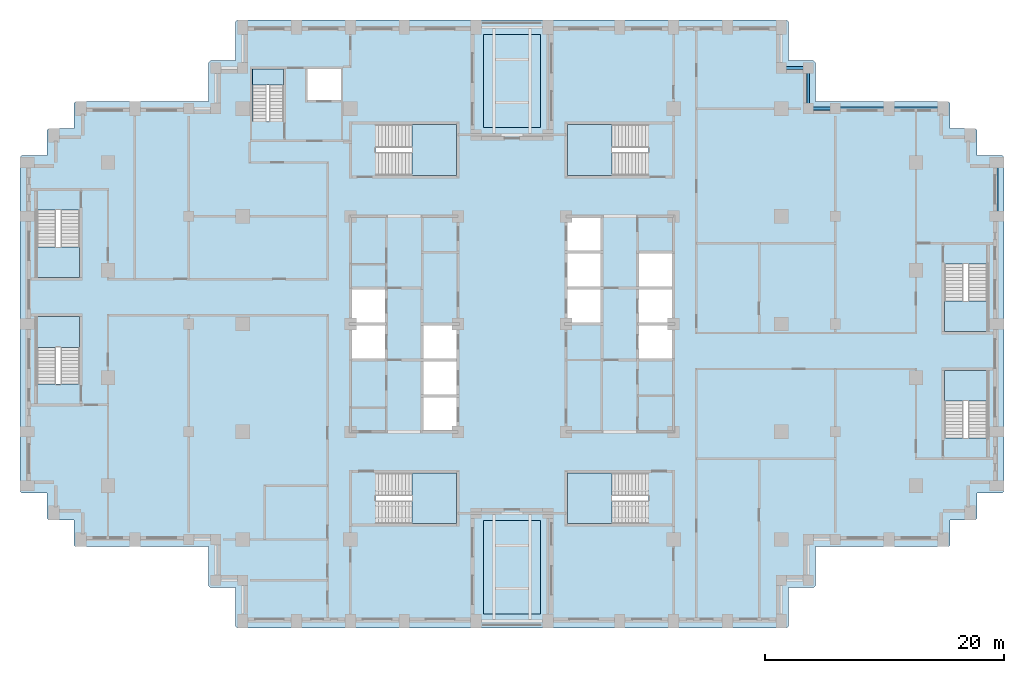
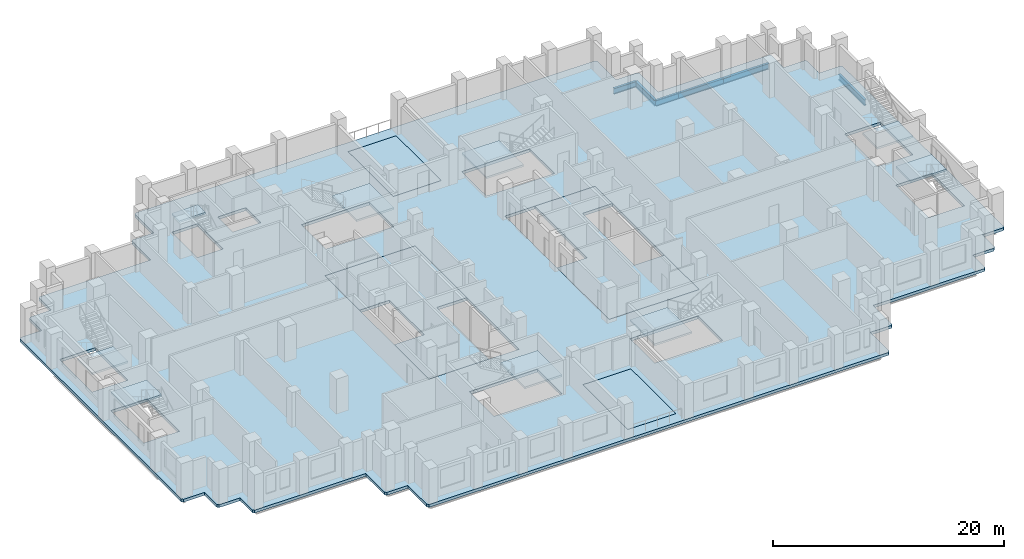
# One storey, part 2 of 13: 14 slabs, 6 beams, 9 elements without a shape of their own.
"""IFC4 building model written with IfcOpenShell, lengths in metres."""

from ifc_helpers import new_model, si_unit, direction, frame, origin, origin_2d, place, context, subcontext, project, spatial, polyline, i_section, outline, extrude, material, layer, layer_set, material_profile, profile_set, type_object, element, aggregate, save


model = new_model("IFC4")

# Units and contexts
model_context = context("Model", 3, precision=1e-05, world=origin(), true_north=direction((0.0, 1.0)))
body_context = subcontext(model_context, "Body", "Model", "MODEL_VIEW")
ifc_project = project(units=[si_unit("LENGTHUNIT", "METRE"), si_unit("AREAUNIT", "SQUARE_METRE"), si_unit("VOLUMEUNIT", "CUBIC_METRE"), si_unit("PLANEANGLEUNIT", "RADIAN"), si_unit("MASSUNIT", "GRAM", prefix="KILO")], contexts=[model_context])

# Site, building, storey
site_placement = place(None, origin())
site = spatial("IfcSite", under=ifc_project, at=site_placement, CompositionType="ELEMENT")
building_placement = place(site_placement, origin())
building = spatial("IfcBuilding", under=site, at=building_placement, Name="Corbelhall Arena Tower", CompositionType="ELEMENT")
storey_placement = place(building_placement, frame((0.0, 0.0, 68.0)))
storey = spatial("IfcBuildingStorey", under=building, at=storey_placement, Name="L09", CompositionType="ELEMENT", Elevation=68.0)

# Beams
ifc_material_1 = material(Name="Steel ASTM A992 Gr50", Category="steel")
ifc_material_profile = material_profile(ifc_material_1, i_section(OverallWidth=0.23046875, OverallDepth=0.6171875, WebThickness=0.01318359375, FlangeThickness=0.022216796875, at=origin_2d()))
ifc_profile_set = profile_set([ifc_material_profile], Name="Steel ASTM A992 Gr50")
beam_type = type_object("IfcBeamType", Name="ST-SPANDREL-W24x94", PredefinedType="SPANDREL", material=ifc_profile_set)
for number, where, z_axis, x_axis, name in (
    (1, (40.5, 13.5, -0.608642578125), (0.0, -1.0, 0.0), (1.0, 0.0, 0.0), "Beam SP 10"),
    (2, (31.5, 18.0, -0.608642578125), (1.0, 0.0, 0.0), (0.0, 1.0, 0.0), "Beam SP 12"),
    (3, (27.0, 18.0, -0.608642578125), (1.0, 0.0, 0.0), (0.0, 1.0, 0.0), "Beam SP 15"),
):
    element("IfcBeam", number, at=place(storey_placement, frame(where, z_axis=z_axis, x_axis=x_axis)), inside=storey, type_object=beam_type, Name=name, PredefinedType="SPANDREL", context=body_context, shape_type="SweptSolid", body=[
        extrude(i_section(OverallWidth=0.23046875, OverallDepth=0.6171875, WebThickness=0.01318359375, FlangeThickness=0.022216796875, at=origin_2d()), origin(), (0.0, 0.0, 1.0), 4.5),
    ])
beam_1_placement = place(storey_placement, frame((22.5, 21.39990234375, -0.608642578125), z_axis=(1.0, 0.0, 0.0), x_axis=(0.0, 1.0, 0.0)))
element("IfcBeam", 4, at=beam_1_placement, inside=storey, type_object=beam_type, Name="Beam SP 39", PredefinedType="SPANDREL", context=body_context, shape_type="SweptSolid", body=[
    extrude(i_section(OverallWidth=0.23046875, OverallDepth=0.6171875, WebThickness=0.01318359375, FlangeThickness=0.022216796875, at=origin_2d()), origin(), (0.0, 0.0, 1.0), 2.25),
])
beam_2_placement = place(storey_placement, frame((24.75, 21.39990234375, -0.608642578125), z_axis=(0.0, -1.0, 0.0), x_axis=(1.0, 0.0, 0.0)))
element("IfcBeam", 5, at=beam_2_placement, inside=storey, type_object=beam_type, Name="Beam SP 40", PredefinedType="SPANDREL", context=body_context, shape_type="SweptSolid", body=[
    extrude(i_section(OverallWidth=0.23046875, OverallDepth=0.6171875, WebThickness=0.01318359375, FlangeThickness=0.022216796875, at=origin_2d()), origin(), (0.0, 0.0, 1.0), 3.39990234375),
])
beam_3_placement = place(storey_placement, frame((24.75, 18.0, -0.608642578125), z_axis=(1.0, 0.0, 0.0), x_axis=(0.0, 1.0, 0.0)))
element("IfcBeam", 6, at=beam_3_placement, inside=storey, type_object=beam_type, Name="Beam SP 41", PredefinedType="SPANDREL", context=body_context, shape_type="SweptSolid", body=[
    extrude(i_section(OverallWidth=0.23046875, OverallDepth=0.6171875, WebThickness=0.01318359375, FlangeThickness=0.022216796875, at=origin_2d()), origin(), (0.0, 0.0, 1.0), 2.25),
])

# Slabs
ifc_material_2 = material(Name="Concrete C40/50", Category="concrete")
ifc_layer_1 = layer(ifc_material_2, 0.300048828125)
ifc_layer_set_1 = layer_set([ifc_layer_1], Name="IN-SL-CORE")
slab_type_1 = type_object("IfcSlabType", Name="IN-SL-CORE", PredefinedType="FLOOR", material=ifc_layer_set_1)
slab_1_placement = place(storey_placement, frame((0.0, 0.0, -0.300048828125)))
element("IfcSlab", 7, at=slab_1_placement, inside=storey, type_object=slab_type_1, Name="Core floor W", PredefinedType="FLOOR", context=body_context, shape_type="SweptSolid", body=[
    extrude(outline(polyline([(-7.5, 0.0), (-4.5, 0.0), (-4.5, 9.0), (-13.5, 9.0), (-13.5, 3.0), (-10.5, 3.0), (-10.5, 0.0), (-10.5, -3.0), (-13.5, -3.0), (-13.5, -9.0), (-7.5, -9.0), (-7.5, -6.0), (-7.5, -3.0), (-7.5, 0.0)])), origin(), (0.0, 0.0, 1.0), 0.300048828125),
])
slab_2_placement = place(storey_placement, frame((0.0, 0.0, -0.300048828125)))
element("IfcSlab", 8, at=slab_2_placement, inside=storey, type_object=slab_type_1, Name="Core floor E", PredefinedType="FLOOR", context=body_context, shape_type="SweptSolid", body=[
    extrude(outline(polyline([(7.5, 0.0), (4.5, 0.0), (4.5, -9.0), (13.5, -9.0), (13.5, -3.0), (10.5, -3.0), (10.5, 0.0), (10.5, 3.0), (10.5, 6.0), (13.5, 6.0), (13.5, 9.0), (7.5, 9.0), (7.5, 6.0), (7.5, 3.0), (7.5, 0.0)])), origin(), (0.0, 0.0, 1.0), 0.300048828125),
])

# Stair, slab
stair_type = type_object("IfcStairType", Name="IN-ST-TOWER", PredefinedType="HALF_TURN_STAIR", material=ifc_material_2)
stair_1_placement = place(storey_placement, origin())
stair_1 = element("IfcStair", 9, at=stair_1_placement, inside=storey, type_object=stair_type, Name="L09 Exit stair ST1", PredefinedType="HALF_TURN_STAIR")
ifc_layer_2 = layer(ifc_material_2, 0.199951171875)
ifc_layer_set_2 = layer_set([ifc_layer_2], Name="IN-SL-LANDING")
slab_type_2 = type_object("IfcSlabType", Name="IN-SL-LANDING", PredefinedType="LANDING", material=ifc_layer_set_2)
slab_3_placement = place(storey_placement, frame((0.0, 0.0, 1.800048828125)))
slab_3 = element("IfcSlab", 10, at=slab_3_placement, type_object=slab_type_2, Name="ST1 landing 1", PredefinedType="LANDING", context=body_context, shape_type="SweptSolid", body=[
    extrude(outline(polyline([(-8.344970703125, 12.425048828125), (-4.625, 12.425048828125), (-4.625, 16.675048828125), (-8.344970703125, 16.675048828125), (-8.344970703125, 12.425048828125)])), origin(), (0.0, 0.0, 1.0), 0.199951171875),
])
aggregate(stair_1, [slab_3])

stair_2_placement = place(storey_placement, origin())
stair_2 = element("IfcStair", 11, at=stair_2_placement, inside=storey, type_object=stair_type, Name="L09 Exit stair ST2", PredefinedType="HALF_TURN_STAIR")
slab_4_placement = place(storey_placement, frame((0.0, 0.0, 1.800048828125)))
slab_4 = element("IfcSlab", 12, at=slab_4_placement, type_object=slab_type_2, Name="ST2 landing 1", PredefinedType="LANDING", context=body_context, shape_type="SweptSolid", body=[
    extrude(outline(polyline([(-8.344970703125, -16.675048828125), (-4.625, -16.675048828125), (-4.625, -12.425048828125), (-8.344970703125, -12.425048828125), (-8.344970703125, -16.675048828125)])), origin(), (0.0, 0.0, 1.0), 0.199951171875),
])
aggregate(stair_2, [slab_4])

stair_3_placement = place(storey_placement, origin())
stair_3 = element("IfcStair", 13, at=stair_3_placement, inside=storey, type_object=stair_type, Name="L09 Exit stair ST3", PredefinedType="HALF_TURN_STAIR")
slab_5_placement = place(storey_placement, frame((0.0, 0.0, 1.800048828125)))
slab_5 = element("IfcSlab", 14, at=slab_5_placement, type_object=slab_type_2, Name="ST3 landing 1", PredefinedType="LANDING", context=body_context, shape_type="SweptSolid", body=[
    extrude(outline(polyline([(8.344970703125, 16.675048828125), (4.625, 16.675048828125), (4.625, 12.425048828125), (8.344970703125, 12.425048828125), (8.344970703125, 16.675048828125)])), origin(), (0.0, 0.0, 1.0), 0.199951171875),
])
aggregate(stair_3, [slab_5])

stair_4_placement = place(storey_placement, origin())
stair_4 = element("IfcStair", 15, at=stair_4_placement, inside=storey, type_object=stair_type, Name="L09 Exit stair ST4", PredefinedType="HALF_TURN_STAIR")
slab_6_placement = place(storey_placement, frame((0.0, 0.0, 1.800048828125)))
slab_6 = element("IfcSlab", 16, at=slab_6_placement, type_object=slab_type_2, Name="ST4 landing 1", PredefinedType="LANDING", context=body_context, shape_type="SweptSolid", body=[
    extrude(outline(polyline([(8.344970703125, -12.425048828125), (4.625, -12.425048828125), (4.625, -16.675048828125), (8.344970703125, -16.675048828125), (8.344970703125, -12.425048828125)])), origin(), (0.0, 0.0, 1.0), 0.199951171875),
])
aggregate(stair_4, [slab_6])

stair_5_placement = place(storey_placement, origin())
stair_5 = element("IfcStair", 17, at=stair_5_placement, inside=storey, type_object=stair_type, Name="L09 Exit stair SC1", PredefinedType="HALF_TURN_STAIR")
slab_7_placement = place(storey_placement, frame((0.0, 0.0, 1.800048828125)))
slab_7 = element("IfcSlab", 18, at=slab_7_placement, type_object=slab_type_2, Name="SC1 landing 1", PredefinedType="LANDING", context=body_context, shape_type="SweptSolid", body=[
    extrude(outline(polyline([(-39.699951171875, 6.445068359375), (-39.699951171875, 3.875), (-36.125, 3.875), (-36.125, 6.445068359375), (-39.699951171875, 6.445068359375)])), origin(), (0.0, 0.0, 1.0), 0.199951171875),
])
aggregate(stair_5, [slab_7])

stair_6_placement = place(storey_placement, origin())
stair_6 = element("IfcStair", 19, at=stair_6_placement, inside=storey, type_object=stair_type, Name="L09 Exit stair SC2", PredefinedType="HALF_TURN_STAIR")
slab_8_placement = place(storey_placement, frame((0.0, 0.0, 1.800048828125)))
slab_8 = element("IfcSlab", 20, at=slab_8_placement, type_object=slab_type_2, Name="SC2 landing 1", PredefinedType="LANDING", context=body_context, shape_type="SweptSolid", body=[
    extrude(outline(polyline([(-36.125, -1.945068359375), (-36.125, 0.625), (-39.699951171875, 0.625), (-39.699951171875, -1.945068359375), (-36.125, -1.945068359375)])), origin(), (0.0, 0.0, 1.0), 0.199951171875),
])
aggregate(stair_6, [slab_8])

stair_7_placement = place(storey_placement, origin())
stair_7 = element("IfcStair", 21, at=stair_7_placement, inside=storey, type_object=stair_type, Name="L09 Exit stair SD1", PredefinedType="HALF_TURN_STAIR")
slab_9_placement = place(storey_placement, frame((0.0, 0.0, 1.800048828125)))
slab_9 = element("IfcSlab", 22, at=slab_9_placement, type_object=slab_type_2, Name="SD1 landing 1", PredefinedType="LANDING", context=body_context, shape_type="SweptSolid", body=[
    extrude(outline(polyline([(39.699951171875, -6.445068359375), (39.699951171875, -3.875), (36.125, -3.875), (36.125, -6.445068359375), (39.699951171875, -6.445068359375)])), origin(), (0.0, 0.0, 1.0), 0.199951171875),
])
aggregate(stair_7, [slab_9])

stair_8_placement = place(storey_placement, origin())
stair_8 = element("IfcStair", 23, at=stair_8_placement, inside=storey, type_object=stair_type, Name="L09 Exit stair SD2", PredefinedType="HALF_TURN_STAIR")
slab_10_placement = place(storey_placement, frame((0.0, 0.0, 1.800048828125)))
slab_10 = element("IfcSlab", 24, at=slab_10_placement, type_object=slab_type_2, Name="SD2 landing 1", PredefinedType="LANDING", context=body_context, shape_type="SweptSolid", body=[
    extrude(outline(polyline([(36.125, 1.945068359375), (36.125, -0.625), (39.699951171875, -0.625), (39.699951171875, 1.945068359375), (36.125, 1.945068359375)])), origin(), (0.0, 0.0, 1.0), 0.199951171875),
])
aggregate(stair_8, [slab_10])

stair_9_placement = place(storey_placement, origin())
stair_9 = element("IfcStair", 25, at=stair_9_placement, inside=storey, type_object=stair_type, Name="L09 Exit stair ST5", PredefinedType="HALF_TURN_STAIR")
slab_11_placement = place(storey_placement, frame((0.0, 0.0, 1.800048828125)))
slab_11 = element("IfcSlab", 26, at=slab_11_placement, type_object=slab_type_2, Name="ST5 landing 1", PredefinedType="LANDING", context=body_context, shape_type="SweptSolid", body=[
    extrude(outline(polyline([(-19.094970703125, 19.97998046875), (-19.094970703125, 21.300048828125), (-21.695068359375, 21.300048828125), (-21.695068359375, 19.97998046875), (-19.094970703125, 19.97998046875)])), origin(), (0.0, 0.0, 1.0), 0.199951171875),
])
aggregate(stair_9, [slab_11])

# Slabs
ifc_layer_3 = layer(ifc_material_2, 0.300048828125)
ifc_layer_set_3 = layer_set([ifc_layer_3], Name="ST-SLAB-FLOOR-300")
slab_type_3 = type_object("IfcSlabType", Name="ST-SLAB-FLOOR-300", PredefinedType="FLOOR", material=ifc_layer_set_3)
slab_12_placement = place(storey_placement, frame((0.0, 0.0, -0.300048828125)))
element("IfcSlab", 27, at=slab_12_placement, inside=storey, type_object=slab_type_3, Name="Floor slab L09 1", PredefinedType="FLOOR", context=body_context, shape_type="SweptSolid", body=[
    extrude(outline(polyline([(41.10009765625, 13.949951171875), (40.949951171875, 14.10009765625), (38.85009765625, 14.10009765625), (38.85009765625, 16.199951171875), (38.699951171875, 16.35009765625), (36.60009765625, 16.35009765625), (36.60009765625, 18.449951171875), (36.449951171875, 18.60009765625), (25.35009765625, 18.60009765625), (25.35009765625, 21.85009765625), (25.199951171875, 22.0), (23.10009765625, 22.0), (23.10009765625, 25.25), (22.949951171875, 25.39990234375), (-22.949951171875, 25.39990234375), (-23.10009765625, 25.25), (-23.10009765625, 22.0), (-25.199951171875, 22.0), (-25.35009765625, 21.85009765625), (-25.35009765625, 18.60009765625), (-36.449951171875, 18.60009765625), (-36.60009765625, 18.449951171875), (-36.60009765625, 16.35009765625), (-38.699951171875, 16.35009765625), (-38.85009765625, 16.199951171875), (-38.85009765625, 14.10009765625), (-40.949951171875, 14.10009765625), (-41.10009765625, 13.949951171875), (-41.10009765625, -13.949951171875), (-40.949951171875, -14.10009765625), (-38.85009765625, -14.10009765625), (-38.85009765625, -16.199951171875), (-38.699951171875, -16.35009765625), (-36.60009765625, -16.35009765625), (-36.60009765625, -18.449951171875), (-36.449951171875, -18.60009765625), (-25.35009765625, -18.60009765625), (-25.35009765625, -21.85009765625), (-25.199951171875, -22.0), (-23.10009765625, -22.0), (-23.10009765625, -25.25), (-22.949951171875, -25.39990234375), (22.949951171875, -25.39990234375), (23.10009765625, -25.25), (23.10009765625, -22.0), (25.199951171875, -22.0), (25.35009765625, -21.85009765625), (25.35009765625, -18.60009765625), (36.449951171875, -18.60009765625), (36.60009765625, -18.449951171875), (36.60009765625, -16.35009765625), (38.699951171875, -16.35009765625), (38.85009765625, -16.199951171875), (38.85009765625, -14.10009765625), (40.949951171875, -14.10009765625), (41.10009765625, -13.949951171875), (41.10009765625, 13.949951171875)]), holes=[polyline([(2.39990234375, -16.39990234375), (-2.39990234375, -16.39990234375), (-2.39990234375, -24.199951171875), (2.39990234375, -24.199951171875), (2.39990234375, -16.39990234375)]), polyline([(-2.39990234375, 24.199951171875), (-2.39990234375, 16.39990234375), (2.39990234375, 16.39990234375), (2.39990234375, 24.199951171875), (-2.39990234375, 24.199951171875)]), polyline([(-13.5, 9.0), (-13.5, -9.0), (-4.5, -9.0), (-4.5, 9.0), (-13.5, 9.0)]), polyline([(4.5, 9.0), (4.5, -9.0), (13.5, -9.0), (13.5, 9.0), (4.5, 9.0)]), polyline([(-4.625, 16.675048828125), (-11.422119140625, 16.675048828125), (-11.422119140625, 12.425048828125), (-4.625, 12.425048828125), (-4.625, 16.675048828125)]), polyline([(-4.625, -16.675048828125), (-4.625, -12.425048828125), (-11.422119140625, -12.425048828125), (-11.422119140625, -16.675048828125), (-4.625, -16.675048828125)]), polyline([(11.422119140625, 16.675048828125), (4.625, 16.675048828125), (4.625, 12.425048828125), (11.422119140625, 12.425048828125), (11.422119140625, 16.675048828125)]), polyline([(11.422119140625, -16.675048828125), (11.422119140625, -12.425048828125), (4.625, -12.425048828125), (4.625, -16.675048828125), (11.422119140625, -16.675048828125)]), polyline([(-36.125, 3.875), (-36.125, 9.52197265625), (-39.699951171875, 9.52197265625), (-39.699951171875, 3.875), (-36.125, 3.875)]), polyline([(-36.125, 0.625), (-39.699951171875, 0.625), (-39.699951171875, -5.02197265625), (-36.125, -5.02197265625), (-36.125, 0.625)]), polyline([(39.699951171875, -9.52197265625), (39.699951171875, -3.875), (36.125, -3.875), (36.125, -9.52197265625), (39.699951171875, -9.52197265625)]), polyline([(39.699951171875, 5.02197265625), (36.125, 5.02197265625), (36.125, -0.625), (39.699951171875, -0.625), (39.699951171875, 5.02197265625)]), polyline([(-21.695068359375, 21.300048828125), (-21.695068359375, 16.903076171875), (-19.094970703125, 16.903076171875), (-19.094970703125, 21.300048828125), (-21.695068359375, 21.300048828125)]), polyline([(-14.300048828125, 21.300048828125), (-17.10009765625, 21.300048828125), (-17.10009765625, 18.699951171875), (-14.300048828125, 18.699951171875), (-14.300048828125, 21.300048828125)])]), origin(), (0.0, 0.0, 1.0), 0.300048828125),
])
slab_13_placement = place(storey_placement, frame((0.0, 0.0, -0.300048828125)))
element("IfcSlab", 28, at=slab_13_placement, inside=storey, type_object=slab_type_3, Name="Terrace slab T-Z1-SLOT-N", PredefinedType="FLOOR", context=body_context, shape_type="SweptSolid", body=[
    extrude(outline(polyline([(2.39990234375, 16.39990234375), (2.39990234375, 24.199951171875), (-2.39990234375, 24.199951171875), (-2.39990234375, 16.39990234375), (2.39990234375, 16.39990234375)])), origin(), (0.0, 0.0, 1.0), 0.300048828125),
])
slab_14_placement = place(storey_placement, frame((0.0, 0.0, -0.300048828125)))
element("IfcSlab", 29, at=slab_14_placement, inside=storey, type_object=slab_type_3, Name="Terrace slab T-Z1-SLOT-S", PredefinedType="FLOOR", context=body_context, shape_type="SweptSolid", body=[
    extrude(outline(polyline([(2.39990234375, -24.199951171875), (2.39990234375, -16.39990234375), (-2.39990234375, -16.39990234375), (-2.39990234375, -24.199951171875), (2.39990234375, -24.199951171875)])), origin(), (0.0, 0.0, 1.0), 0.300048828125),
])

save(model, "model.ifc")
